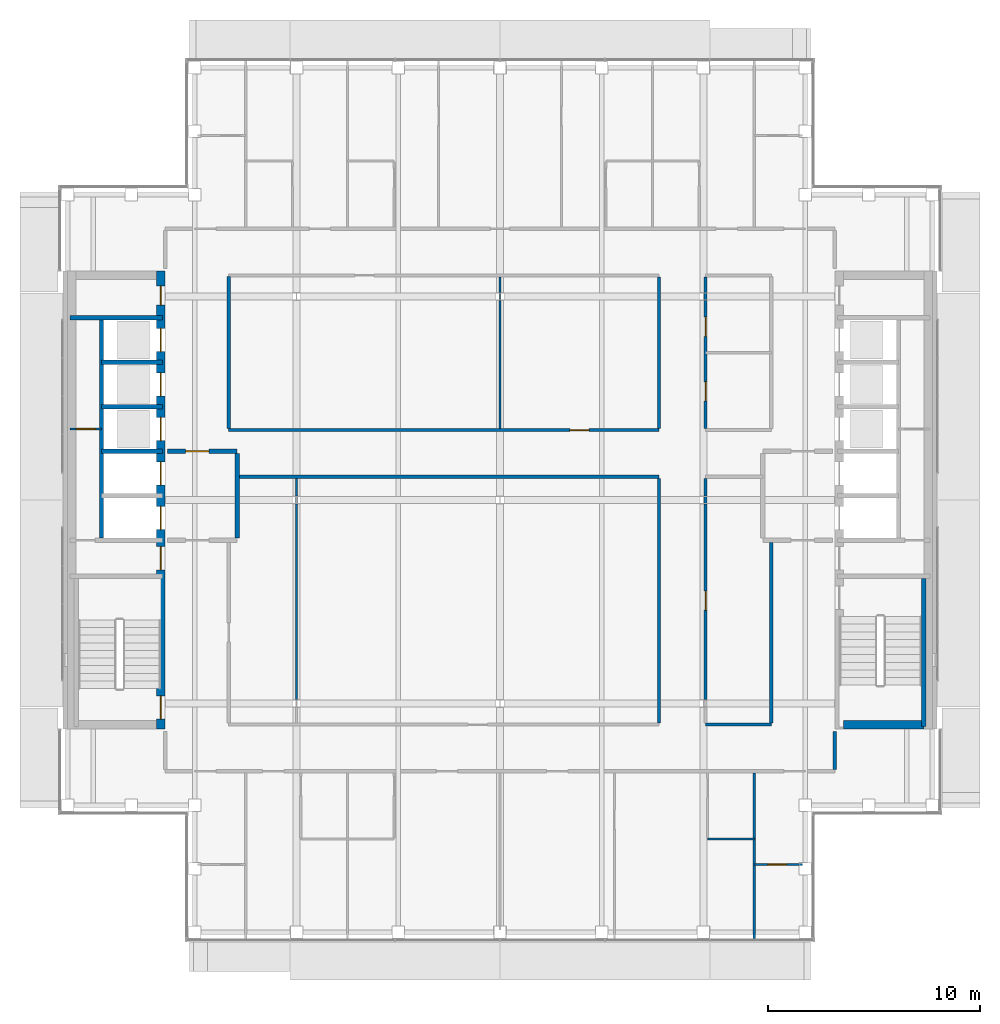
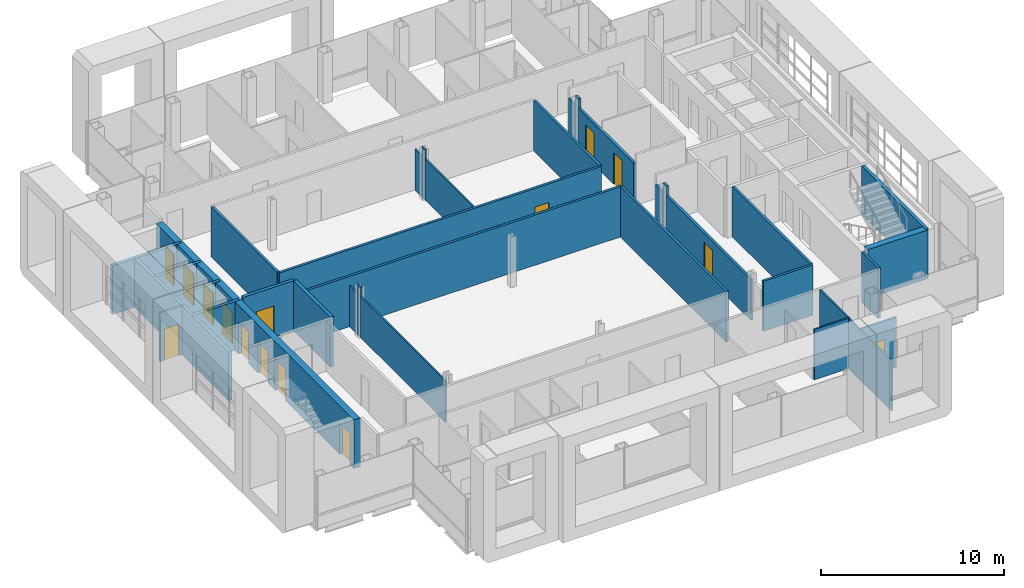
# One storey, part 10 of 21: 34 walls, 15 doors, 15 openings.
"""IFC4 building model written with IfcOpenShell, lengths in metres."""

from ifc_helpers import new_model, si_unit, direction, frame, frame_2d, origin, place, context, subcontext, project, spatial, rectangle, extrude, material, layer, layer_set, type_object, element, fill, save


model = new_model("IFC4")

# Units and contexts
model_context = context("Model", 3, precision=1e-05, world=origin(), true_north=direction((0.0, 1.0)))
body_context = subcontext(model_context, "Body", "Model", "MODEL_VIEW")
ifc_project = project(units=[si_unit("LENGTHUNIT", "METRE"), si_unit("AREAUNIT", "SQUARE_METRE"), si_unit("VOLUMEUNIT", "CUBIC_METRE"), si_unit("PLANEANGLEUNIT", "RADIAN"), si_unit("MASSUNIT", "GRAM", prefix="KILO")], contexts=[model_context])

# Site, building, storey
site_placement = place(None, origin())
site = spatial("IfcSite", under=ifc_project, at=site_placement, CompositionType="ELEMENT")
building_placement = place(site_placement, origin())
building = spatial("IfcBuilding", under=site, at=building_placement, Name="Cobrizo Arcos Hotel Tower", CompositionType="ELEMENT")
storey_placement = place(building_placement, frame((0.0, 0.0, 248.0)))
storey = spatial("IfcBuildingStorey", under=building, at=storey_placement, Name="L65", CompositionType="ELEMENT", Elevation=248.0)

# Walls
ifc_material_1 = material(Name="Gypsum board partition")
ifc_layer_1 = layer(ifc_material_1, 0.14990234375)
ifc_layer_set_1 = layer_set([ifc_layer_1], Name="Corridor wall EI 60 150")
wall_type_1 = type_object("IfcWallType", Name="Corridor wall EI 60 150", PredefinedType="PARTITIONING", material=ifc_layer_set_1)
wall_1_placement = place(storey_placement, frame((9.699951171875, -10.60009765625, 0.0), z_axis=(0.0, 0.0, 1.0), x_axis=(1.0, 0.0, 0.0)))
element("IfcWall", 1, at=wall_1_placement, inside=storey, type_object=wall_type_1, Name="Partition 007", PredefinedType="PARTITIONING", context=body_context, shape_type="SweptSolid", body=[
    extrude(rectangle(XDim=3.10009765625, YDim=0.14990234375, at=frame_2d((1.550048828125, 0.0))), origin(), (0.0, 0.0, 1.0), 3.35009765625),
])
wall_2_placement = place(storey_placement, frame((-12.39990234375, 1.10009765625, 0.0), z_axis=(0.0, 0.0, 1.0), x_axis=(1.0, 0.0, 0.0)))
element("IfcWall", 2, at=wall_2_placement, inside=storey, type_object=wall_type_1, Name="Partition 016", PredefinedType="PARTITIONING", context=body_context, shape_type="SweptSolid", body=[
    extrude(rectangle(XDim=19.89990234375, YDim=0.14990234375, at=frame_2d((9.949951171875, 0.0))), origin(), (0.0, 0.0, 1.0), 3.35009765625),
])

# Wall, opening, door
wall_3_placement = place(storey_placement, frame((-12.800048828125, 3.300048828125, 0.0), z_axis=(0.0, 0.0, 1.0), x_axis=(1.0, 0.0, 0.0)))
wall_3 = element("IfcWall", 3, at=wall_3_placement, inside=storey, type_object=wall_type_1, Name="Partition 022", PredefinedType="PARTITIONING", context=body_context, shape_type="SweptSolid", body=[
    extrude(rectangle(XDim=20.300048828125, YDim=0.14990234375, at=frame_2d((10.14990234375, 0.0))), origin(), (0.0, 0.0, 1.0), 3.35009765625),
])
opening_1_placement = place(wall_3_placement, frame((16.10009765625, 0.0, 0.0)))
opening_1 = element("IfcOpeningElement", 4, at=opening_1_placement, cuts=wall_3, Name="Opening RD-13", PredefinedType="OPENING", context=body_context, shape_type="SweptSolid", body=[
    extrude(rectangle(XDim=0.89990234375, YDim=2.10009765625, at=frame_2d((0.449951171875, 1.050048828125))), frame((0.0, 0.0869140625, 0.0), z_axis=(0.0, -1.0, 0.0), x_axis=(1.0, 0.0, 0.0)), (0.0, 0.0, 1.0), 0.173828125),
])
ifc_material_2 = material(Name="Timber door leaf", Category="wood")
door_type_1 = type_object("IfcDoorType", Name="Room door FD30 900x2100", OperationType="SINGLE_SWING_LEFT", PredefinedType="DOOR", material=ifc_material_2)
door_1_placement = place(opening_1_placement, origin())
door_1 = element("IfcDoor", 5, at=door_1_placement, inside=storey, type_object=door_type_1, Name="Door RD-13", OperationType="SINGLE_SWING_RIGHT", OverallHeight=2.10009765625, OverallWidth=0.89990234375, PredefinedType="DOOR", context=body_context, shape_type="SweptSolid", body=[
    extrude(rectangle(XDim=0.89990234375, YDim=2.10009765625, at=frame_2d((0.449951171875, 1.050048828125))), frame((0.0, 0.02490234375, 0.0), z_axis=(0.0, -1.0, 0.0), x_axis=(1.0, 0.0, 0.0)), (0.0, 0.0, 1.0), 0.050048828125),
])
fill(opening_1, door_1)

# Walls
wall_4_placement = place(storey_placement, frame((-12.800048828125, 3.375, 0.0), z_axis=(0.0, 0.0, 1.0), x_axis=(0.0, 1.0, 0.0)))
element("IfcWall", 6, at=wall_4_placement, inside=storey, type_object=wall_type_1, Name="Partition 046", PredefinedType="PARTITIONING", context=body_context, shape_type="SweptSolid", body=[
    extrude(rectangle(XDim=7.175048828125, YDim=0.14990234375, at=frame_2d((3.58740234375, 0.0))), origin(), (0.0, 0.0, 1.0), 3.35009765625),
])
wall_5_placement = place(storey_placement, frame((7.5, -10.52490234375, 0.0), z_axis=(0.0, 0.0, 1.0), x_axis=(0.0, 1.0, 0.0)))
element("IfcWall", 7, at=wall_5_placement, inside=storey, type_object=wall_type_1, Name="Partition 072", PredefinedType="PARTITIONING", context=body_context, shape_type="SweptSolid", body=[
    extrude(rectangle(XDim=11.5498046875, YDim=0.14990234375, at=frame_2d((5.77490234375, 0.0))), origin(), (0.0, 0.0, 1.0), 3.35009765625),
])
wall_6_placement = place(storey_placement, frame((7.5, 3.375, 0.0), z_axis=(0.0, 0.0, 1.0), x_axis=(0.0, 1.0, 0.0)))
element("IfcWall", 8, at=wall_6_placement, inside=storey, type_object=wall_type_1, Name="Partition 073", PredefinedType="PARTITIONING", context=body_context, shape_type="SweptSolid", body=[
    extrude(rectangle(XDim=7.14990234375, YDim=0.14990234375, at=frame_2d((3.574951171875, 0.0))), origin(), (0.0, 0.0, 1.0), 3.35009765625),
])

# Wall, opening, door
wall_7_placement = place(storey_placement, frame((9.699951171875, -9.416015625, 0.0), z_axis=(0.0, 0.0, 1.0), x_axis=(0.0, 1.0, 0.0)))
wall_7 = element("IfcWall", 9, at=wall_7_placement, inside=storey, type_object=wall_type_1, Name="Partition 077", PredefinedType="PARTITIONING", context=body_context, shape_type="SweptSolid", body=[
    extrude(rectangle(XDim=9.23193359375, YDim=0.14990234375, at=frame_2d((4.615966796875, 0.0))), origin(), (0.0, 0.0, 1.0), 2.72802734375),
])
opening_2_placement = place(wall_7_placement, frame((4.216064453125, 0.0, 0.0)))
opening_2 = element("IfcOpeningElement", 10, at=opening_2_placement, cuts=wall_7, Name="Opening RD-11", PredefinedType="OPENING", context=body_context, shape_type="SweptSolid", body=[
    extrude(rectangle(XDim=0.89990234375, YDim=2.10009765625, at=frame_2d((0.449951171875, 1.050048828125))), frame((0.0, 0.0869140625, 0.0), z_axis=(0.0, -1.0, 0.0), x_axis=(1.0, 0.0, 0.0)), (0.0, 0.0, 1.0), 0.173828125),
])
door_2_placement = place(opening_2_placement, origin())
door_2 = element("IfcDoor", 11, at=door_2_placement, inside=storey, type_object=door_type_1, Name="Door RD-11", OperationType="SINGLE_SWING_RIGHT", OverallHeight=2.10009765625, OverallWidth=0.89990234375, PredefinedType="DOOR", context=body_context, shape_type="SweptSolid", body=[
    extrude(rectangle(XDim=0.89990234375, YDim=2.10009765625, at=frame_2d((0.449951171875, 1.050048828125))), frame((0.0, 0.02490234375, 0.0), z_axis=(0.0, -1.0, 0.0), x_axis=(1.0, 0.0, 0.0)), (0.0, 0.0, 1.0), 0.050048828125),
])
fill(opening_2, door_2)

# Walls
wall_8_placement = place(storey_placement, frame((9.699951171875, -0.18408203125, 0.0), z_axis=(0.0, 0.0, 1.0), x_axis=(0.0, 1.0, 0.0)))
element("IfcWall", 12, at=wall_8_placement, inside=storey, type_object=wall_type_1, Name="Partition 078", PredefinedType="PARTITIONING", context=body_context, shape_type="SweptSolid", body=[
    extrude(rectangle(XDim=0.3681640625, YDim=0.14990234375, at=frame_2d((0.18408203125, 0.0))), origin(), (0.0, 0.0, 1.0), 3.35009765625),
])
wall_9_placement = place(storey_placement, frame((9.699951171875, 0.18408203125, 0.0), z_axis=(0.0, 0.0, 1.0), x_axis=(0.0, 1.0, 0.0)))
element("IfcWall", 13, at=wall_9_placement, inside=storey, type_object=wall_type_1, Name="Partition 079", PredefinedType="PARTITIONING", context=body_context, shape_type="SweptSolid", body=[
    extrude(rectangle(XDim=0.8408203125, YDim=0.14990234375, at=frame_2d((0.42041015625, 0.0))), origin(), (0.0, 0.0, 1.0), 2.72802734375),
])

# Wall, openings, doors
wall_10_placement = place(storey_placement, frame((9.699951171875, 3.375, 0.0), z_axis=(0.0, 0.0, 1.0), x_axis=(0.0, 1.0, 0.0)))
wall_10 = element("IfcWall", 14, at=wall_10_placement, inside=storey, type_object=wall_type_1, Name="Partition 080", PredefinedType="PARTITIONING", context=body_context, shape_type="SweptSolid", body=[
    extrude(rectangle(XDim=6.041015625, YDim=0.14990234375, at=frame_2d((3.0205078125, 0.0))), origin(), (0.0, 0.0, 1.0), 2.72802734375),
])
opening_3_placement = place(wall_10_placement, frame((1.300048828125, 0.0, 0.0)))
opening_3 = element("IfcOpeningElement", 15, at=opening_3_placement, cuts=wall_10, Name="Opening ED-12", PredefinedType="OPENING", context=body_context, shape_type="SweptSolid", body=[
    extrude(rectangle(XDim=0.89990234375, YDim=2.10009765625, at=frame_2d((0.449951171875, 1.050048828125))), frame((0.0, 0.0869140625, 0.0), z_axis=(0.0, -1.0, 0.0), x_axis=(1.0, 0.0, 0.0)), (0.0, 0.0, 1.0), 0.173828125),
])
opening_4_placement = place(wall_10_placement, frame((4.35009765625, 0.0, 0.0)))
opening_4 = element("IfcOpeningElement", 16, at=opening_4_placement, cuts=wall_10, Name="Opening ED-13", PredefinedType="OPENING", context=body_context, shape_type="SweptSolid", body=[
    extrude(rectangle(XDim=0.89990234375, YDim=2.10009765625, at=frame_2d((0.449951171875, 1.050048828125))), frame((0.0, 0.0869140625, 0.0), z_axis=(0.0, -1.0, 0.0), x_axis=(1.0, 0.0, 0.0)), (0.0, 0.0, 1.0), 0.173828125),
])
door_type_2 = type_object("IfcDoorType", Name="En-suite door 900x2100", OperationType="SINGLE_SWING_LEFT", PredefinedType="DOOR", material=ifc_material_2)
door_3_placement = place(opening_3_placement, origin())
door_3 = element("IfcDoor", 17, at=door_3_placement, inside=storey, type_object=door_type_2, Name="Door ED-12", OperationType="SINGLE_SWING_LEFT", OverallHeight=2.10009765625, OverallWidth=0.89990234375, PredefinedType="DOOR", context=body_context, shape_type="SweptSolid", body=[
    extrude(rectangle(XDim=0.89990234375, YDim=2.10009765625, at=frame_2d((0.449951171875, 1.050048828125))), frame((0.0, 0.02490234375, 0.0), z_axis=(0.0, -1.0, 0.0), x_axis=(1.0, 0.0, 0.0)), (0.0, 0.0, 1.0), 0.050048828125),
])
fill(opening_3, door_3)
door_4_placement = place(opening_4_placement, origin())
door_4 = element("IfcDoor", 18, at=door_4_placement, inside=storey, type_object=door_type_2, Name="Door ED-13", OperationType="SINGLE_SWING_RIGHT", OverallHeight=2.10009765625, OverallWidth=0.89990234375, PredefinedType="DOOR", context=body_context, shape_type="SweptSolid", body=[
    extrude(rectangle(XDim=0.89990234375, YDim=2.10009765625, at=frame_2d((0.449951171875, 1.050048828125))), frame((0.0, 0.02490234375, 0.0), z_axis=(0.0, -1.0, 0.0), x_axis=(1.0, 0.0, 0.0)), (0.0, 0.0, 1.0), 0.050048828125),
])
fill(opening_4, door_4)

# Walls
wall_11_placement = place(storey_placement, frame((9.699951171875, 9.416015625, 0.0), z_axis=(0.0, 0.0, 1.0), x_axis=(0.0, 1.0, 0.0)))
element("IfcWall", 19, at=wall_11_placement, inside=storey, type_object=wall_type_1, Name="Partition 081", PredefinedType="PARTITIONING", context=body_context, shape_type="SweptSolid", body=[
    extrude(rectangle(XDim=0.367919921875, YDim=0.14990234375, at=frame_2d((0.18408203125, 0.0))), origin(), (0.0, 0.0, 1.0), 3.35009765625),
])
wall_12_placement = place(storey_placement, frame((9.699951171875, 9.783935546875, 0.0), z_axis=(0.0, 0.0, 1.0), x_axis=(0.0, 1.0, 0.0)))
element("IfcWall", 20, at=wall_12_placement, inside=storey, type_object=wall_type_1, Name="Partition 082", PredefinedType="PARTITIONING", context=body_context, shape_type="SweptSolid", body=[
    extrude(rectangle(XDim=0.740966796875, YDim=0.14990234375, at=frame_2d((0.37060546875, 0.0))), origin(), (0.0, 0.0, 1.0), 2.72802734375),
])
wall_13_placement = place(storey_placement, frame((12.800048828125, -10.52490234375, 0.0), z_axis=(0.0, 0.0, 1.0), x_axis=(0.0, 1.0, 0.0)))
element("IfcWall", 21, at=wall_13_placement, inside=storey, type_object=wall_type_1, Name="Partition 087", PredefinedType="PARTITIONING", context=body_context, shape_type="SweptSolid", body=[
    extrude(rectangle(XDim=8.52490234375, YDim=0.14990234375, at=frame_2d((4.262451171875, 0.0))), origin(), (0.0, 0.0, 1.0), 3.35009765625),
])
wall_14_placement = place(storey_placement, frame((15.800048828125, -12.72509765625, 0.0), z_axis=(0.0, 0.0, 1.0), x_axis=(0.0, 1.0, 0.0)))
element("IfcWall", 22, at=wall_14_placement, inside=storey, type_object=wall_type_1, Name="Partition 089", PredefinedType="PARTITIONING", context=body_context, shape_type="SweptSolid", body=[
    extrude(rectangle(XDim=1.80517578125, YDim=0.14990234375, at=frame_2d((0.902587890625, 0.0))), origin(), (0.0, 0.0, 1.0), 3.35009765625),
])

# Wall, opening, door
ifc_layer_2 = layer(ifc_material_1, 0.10009765625)
ifc_layer_set_2 = layer_set([ifc_layer_2], Name="Partition EI 30 100")
wall_type_2 = type_object("IfcWallType", Name="Partition EI 30 100", PredefinedType="PARTITIONING", material=ifc_layer_set_2)
wall_15_placement = place(storey_placement, frame((12.0, -17.199951171875, 0.0), z_axis=(0.0, 0.0, 1.0), x_axis=(1.0, 0.0, 0.0)))
wall_15 = element("IfcWall", 23, at=wall_15_placement, inside=storey, type_object=wall_type_2, Name="Partition 002", PredefinedType="PARTITIONING", context=body_context, shape_type="SweptSolid", body=[
    extrude(rectangle(XDim=2.280029296875, YDim=0.10009765625, at=frame_2d((1.14013671875, 0.0))), origin(), (0.0, 0.0, 1.0), 3.35009765625),
])
opening_5_placement = place(wall_15_placement, frame((0.6298828125, 0.0, 0.0)))
opening_5 = element("IfcOpeningElement", 24, at=opening_5_placement, cuts=wall_15, Name="Opening ED-10", PredefinedType="OPENING", context=body_context, shape_type="SweptSolid", body=[
    extrude(rectangle(XDim=0.89990234375, YDim=2.10009765625, at=frame_2d((0.449951171875, 1.050048828125))), frame((0.0, 0.06201171875, 0.0), z_axis=(0.0, -1.0, 0.0), x_axis=(1.0, 0.0, 0.0)), (0.0, 0.0, 1.0), 0.1240234375),
])
door_5_placement = place(opening_5_placement, origin())
door_5 = element("IfcDoor", 25, at=door_5_placement, inside=storey, type_object=door_type_2, Name="Door ED-10", OperationType="SINGLE_SWING_RIGHT", OverallHeight=2.10009765625, OverallWidth=0.89990234375, PredefinedType="DOOR", context=body_context, shape_type="SweptSolid", body=[
    extrude(rectangle(XDim=0.89990234375, YDim=2.10009765625, at=frame_2d((0.449951171875, 1.050048828125))), frame((0.0, 0.02490234375, 0.0), z_axis=(0.0, -1.0, 0.0), x_axis=(1.0, 0.0, 0.0)), (0.0, 0.0, 1.0), 0.050048828125),
])
fill(opening_5, door_5)

# Wall
wall_16_placement = place(storey_placement, frame((9.800048828125, -16.0, 0.0), z_axis=(0.0, 0.0, 1.0), x_axis=(1.0, 0.0, 0.0)))
element("IfcWall", 26, at=wall_16_placement, inside=storey, type_object=wall_type_2, Name="Partition 004", PredefinedType="PARTITIONING", context=body_context, shape_type="SweptSolid", body=[
    extrude(rectangle(XDim=2.199951171875, YDim=0.10009765625, at=frame_2d((1.10009765625, 0.0))), origin(), (0.0, 0.0, 1.0), 3.35009765625),
])

# Wall, opening, door
wall_17_placement = place(storey_placement, frame((-20.280029296875, 3.35009765625, 0.0), z_axis=(0.0, 0.0, 1.0), x_axis=(1.0, 0.0, 0.0)))
wall_17 = element("IfcWall", 27, at=wall_17_placement, inside=storey, type_object=wall_type_2, Name="Partition 024", PredefinedType="PARTITIONING", context=body_context, shape_type="SweptSolid", body=[
    extrude(rectangle(XDim=1.47998046875, YDim=0.10009765625, at=frame_2d((0.739990234375, 0.0))), origin(), (0.0, 0.0, 1.0), 3.25),
])
opening_6_placement = place(wall_17_placement, frame((0.280029296875, 0.0, 0.0)))
opening_6 = element("IfcOpeningElement", 28, at=opening_6_placement, cuts=wall_17, Name="Opening RD-03", PredefinedType="OPENING", context=body_context, shape_type="SweptSolid", body=[
    extrude(rectangle(XDim=0.89990234375, YDim=2.10009765625, at=frame_2d((0.449951171875, 1.050048828125))), frame((0.0, 0.06201171875, 0.0), z_axis=(0.0, -1.0, 0.0), x_axis=(1.0, 0.0, 0.0)), (0.0, 0.0, 1.0), 0.1240234375),
])
door_6_placement = place(opening_6_placement, origin())
door_6 = element("IfcDoor", 29, at=door_6_placement, inside=storey, type_object=door_type_1, Name="Door RD-03", OperationType="SINGLE_SWING_RIGHT", OverallHeight=2.10009765625, OverallWidth=0.89990234375, PredefinedType="DOOR", context=body_context, shape_type="SweptSolid", body=[
    extrude(rectangle(XDim=0.89990234375, YDim=2.10009765625, at=frame_2d((0.449951171875, 1.050048828125))), frame((0.0, 0.02490234375, 0.0), z_axis=(0.0, -1.0, 0.0), x_axis=(1.0, 0.0, 0.0)), (0.0, 0.0, 1.0), 0.050048828125),
])
fill(opening_6, door_6)

# Walls
wall_18_placement = place(storey_placement, frame((-9.60009765625, -9.416015625, 0.0), z_axis=(0.0, 0.0, 1.0), x_axis=(0.0, 1.0, 0.0)))
element("IfcWall", 30, at=wall_18_placement, inside=storey, type_object=wall_type_2, Name="Partition 053", PredefinedType="PARTITIONING", context=body_context, shape_type="SweptSolid", body=[
    extrude(rectangle(XDim=9.23193359375, YDim=0.10009765625, at=frame_2d((4.615966796875, 0.0))), origin(), (0.0, 0.0, 1.0), 2.72802734375),
])
wall_19_placement = place(storey_placement, frame((-9.60009765625, -0.18408203125, 0.0), z_axis=(0.0, 0.0, 1.0), x_axis=(0.0, 1.0, 0.0)))
element("IfcWall", 31, at=wall_19_placement, inside=storey, type_object=wall_type_2, Name="Partition 054", PredefinedType="PARTITIONING", context=body_context, shape_type="SweptSolid", body=[
    extrude(rectangle(XDim=0.3681640625, YDim=0.10009765625, at=frame_2d((0.18408203125, 0.0))), origin(), (0.0, 0.0, 1.0), 3.35009765625),
])
wall_20_placement = place(storey_placement, frame((-9.60009765625, 0.18408203125, 0.0), z_axis=(0.0, 0.0, 1.0), x_axis=(0.0, 1.0, 0.0)))
element("IfcWall", 32, at=wall_20_placement, inside=storey, type_object=wall_type_2, Name="Partition 055", PredefinedType="PARTITIONING", context=body_context, shape_type="SweptSolid", body=[
    extrude(rectangle(XDim=0.8408203125, YDim=0.10009765625, at=frame_2d((0.42041015625, 0.0))), origin(), (0.0, 0.0, 1.0), 2.72802734375),
])
wall_21_placement = place(storey_placement, frame((0.0, 3.375, 0.0), z_axis=(0.0, 0.0, 1.0), x_axis=(0.0, 1.0, 0.0)))
element("IfcWall", 33, at=wall_21_placement, inside=storey, type_object=wall_type_2, Name="Partition 064", PredefinedType="PARTITIONING", context=body_context, shape_type="SweptSolid", body=[
    extrude(rectangle(XDim=6.041015625, YDim=0.10009765625, at=frame_2d((3.0205078125, 0.0))), origin(), (0.0, 0.0, 1.0), 2.72802734375),
])
wall_22_placement = place(storey_placement, frame((0.0, 9.416015625, 0.0), z_axis=(0.0, 0.0, 1.0), x_axis=(0.0, 1.0, 0.0)))
element("IfcWall", 34, at=wall_22_placement, inside=storey, type_object=wall_type_2, Name="Partition 065", PredefinedType="PARTITIONING", context=body_context, shape_type="SweptSolid", body=[
    extrude(rectangle(XDim=0.367919921875, YDim=0.10009765625, at=frame_2d((0.18408203125, 0.0))), origin(), (0.0, 0.0, 1.0), 3.35009765625),
])
wall_23_placement = place(storey_placement, frame((0.0, 9.783935546875, 0.0), z_axis=(0.0, 0.0, 1.0), x_axis=(0.0, 1.0, 0.0)))
element("IfcWall", 35, at=wall_23_placement, inside=storey, type_object=wall_type_2, Name="Partition 066", PredefinedType="PARTITIONING", context=body_context, shape_type="SweptSolid", body=[
    extrude(rectangle(XDim=0.740966796875, YDim=0.10009765625, at=frame_2d((0.37060546875, 0.0))), origin(), (0.0, 0.0, 1.0), 2.72802734375),
])
wall_24_placement = place(storey_placement, frame((12.0, -20.72998046875, 0.0), z_axis=(0.0, 0.0, 1.0), x_axis=(0.0, 1.0, 0.0)))
element("IfcWall", 36, at=wall_24_placement, inside=storey, type_object=wall_type_2, Name="Partition 084", PredefinedType="PARTITIONING", context=body_context, shape_type="SweptSolid", body=[
    extrude(rectangle(XDim=7.85498046875, YDim=0.10009765625, at=frame_2d((3.927490234375, 0.0))), origin(), (0.0, 0.0, 1.0), 3.35009765625),
])
ifc_material_3 = material(Name="Concrete f'c 40 MPa", Category="concrete")
ifc_layer_3 = layer(ifc_material_3, 0.39990234375)
ifc_layer_set_3 = layer_set([ifc_layer_3], Name="RC core wall 400 f'c 40")
wall_type_3 = type_object("IfcWallType", Name="RC core wall 400 f'c 40", PredefinedType="SHEAR", material=ifc_layer_set_3)
wall_25_placement = place(storey_placement, frame((16.199951171875, -10.60009765625, 0.0), z_axis=(0.0, 0.0, 1.0), x_axis=(1.0, 0.0, 0.0)))
element("IfcWall", 37, at=wall_25_placement, inside=storey, type_object=wall_type_3, Name="Core wall CW4, east core, south end, L65", PredefinedType="SHEAR", context=body_context, shape_type="SweptSolid", body=[
    extrude(rectangle(XDim=3.800048828125, YDim=0.39990234375, at=frame_2d((1.89990234375, 0.0))), origin(), (0.0, 0.0, 1.0), 3.25),
])

# Wall, openings, doors
wall_26_placement = place(storey_placement, frame((-16.0, -10.800048828125, 0.0), z_axis=(0.0, 0.0, 1.0), x_axis=(0.0, 1.0, 0.0)))
wall_26 = element("IfcWall", 38, at=wall_26_placement, inside=storey, type_object=wall_type_3, Name="Core wall CW4, west core, inner face, L65", PredefinedType="SHEAR", context=body_context, shape_type="SweptSolid", body=[
    extrude(rectangle(XDim=21.60009765625, YDim=0.39990234375, at=frame_2d((10.800048828125, 0.0))), origin(), (0.0, 0.0, 1.0), 3.25),
])
opening_7_placement = place(wall_26_placement, frame((9.39990234375, 0.0, 0.0)))
opening_7 = element("IfcOpeningElement", 39, at=opening_7_placement, cuts=wall_26, Name="Opening LD-01", PredefinedType="OPENING", context=body_context, shape_type="SweptSolid", body=[
    extrude(rectangle(XDim=1.10009765625, YDim=2.10009765625, at=frame_2d((0.550048828125, 1.050048828125))), frame((0.0, 0.2119140625, 0.0), z_axis=(0.0, -1.0, 0.0), x_axis=(1.0, 0.0, 0.0)), (0.0, 0.0, 1.0), 0.423828125),
])
opening_8_placement = place(wall_26_placement, frame((11.5, 0.0, 0.0)))
opening_8 = element("IfcOpeningElement", 40, at=opening_8_placement, cuts=wall_26, Name="Opening LD-02", PredefinedType="OPENING", context=body_context, shape_type="SweptSolid", body=[
    extrude(rectangle(XDim=1.10009765625, YDim=2.10009765625, at=frame_2d((0.550048828125, 1.050048828125))), frame((0.0, 0.2119140625, 0.0), z_axis=(0.0, -1.0, 0.0), x_axis=(1.0, 0.0, 0.0)), (0.0, 0.0, 1.0), 0.423828125),
])
opening_9_placement = place(wall_26_placement, frame((13.60009765625, 0.0, 0.0)))
opening_9 = element("IfcOpeningElement", 41, at=opening_9_placement, cuts=wall_26, Name="Opening LD-03", PredefinedType="OPENING", context=body_context, shape_type="SweptSolid", body=[
    extrude(rectangle(XDim=1.10009765625, YDim=2.10009765625, at=frame_2d((0.550048828125, 1.050048828125))), frame((0.0, 0.2119140625, 0.0), z_axis=(0.0, -1.0, 0.0), x_axis=(1.0, 0.0, 0.0)), (0.0, 0.0, 1.0), 0.423828125),
])
opening_10_placement = place(wall_26_placement, frame((15.699951171875, 0.0, 0.0)))
opening_10 = element("IfcOpeningElement", 42, at=opening_10_placement, cuts=wall_26, Name="Opening LD-04", PredefinedType="OPENING", context=body_context, shape_type="SweptSolid", body=[
    extrude(rectangle(XDim=1.10009765625, YDim=2.10009765625, at=frame_2d((0.550048828125, 1.050048828125))), frame((0.0, 0.2119140625, 0.0), z_axis=(0.0, -1.0, 0.0), x_axis=(1.0, 0.0, 0.0)), (0.0, 0.0, 1.0), 0.423828125),
])
opening_11_placement = place(wall_26_placement, frame((17.800048828125, 0.0, 0.0)))
opening_11 = element("IfcOpeningElement", 43, at=opening_11_placement, cuts=wall_26, Name="Opening LD-05", PredefinedType="OPENING", context=body_context, shape_type="SweptSolid", body=[
    extrude(rectangle(XDim=1.10009765625, YDim=2.10009765625, at=frame_2d((0.550048828125, 1.050048828125))), frame((0.0, 0.2119140625, 0.0), z_axis=(0.0, -1.0, 0.0), x_axis=(1.0, 0.0, 0.0)), (0.0, 0.0, 1.0), 0.423828125),
])
opening_12_placement = place(wall_26_placement, frame((0.4580078125, 0.0, 0.0)))
opening_12 = element("IfcOpeningElement", 44, at=opening_12_placement, cuts=wall_26, Name="Opening SD-01", PredefinedType="OPENING", context=body_context, shape_type="SweptSolid", body=[
    extrude(rectangle(XDim=1.10009765625, YDim=2.10009765625, at=frame_2d((0.550048828125, 1.050048828125))), frame((0.0, 0.2119140625, 0.0), z_axis=(0.0, -1.0, 0.0), x_axis=(1.0, 0.0, 0.0)), (0.0, 0.0, 1.0), 0.423828125),
])
opening_13_placement = place(wall_26_placement, frame((7.5, 0.0, 0.0)))
opening_13 = element("IfcOpeningElement", 45, at=opening_13_placement, cuts=wall_26, Name="Opening FD-01", PredefinedType="OPENING", context=body_context, shape_type="SweptSolid", body=[
    extrude(rectangle(XDim=1.10009765625, YDim=2.10009765625, at=frame_2d((0.550048828125, 1.050048828125))), frame((0.0, 0.2119140625, 0.0), z_axis=(0.0, -1.0, 0.0), x_axis=(1.0, 0.0, 0.0)), (0.0, 0.0, 1.0), 0.423828125),
])
opening_14_placement = place(wall_26_placement, frame((20.0, 0.0, 0.0)))
opening_14 = element("IfcOpeningElement", 46, at=opening_14_placement, cuts=wall_26, Name="Opening RD-01", PredefinedType="OPENING", context=body_context, shape_type="SweptSolid", body=[
    extrude(rectangle(XDim=0.89990234375, YDim=2.10009765625, at=frame_2d((0.449951171875, 1.050048828125))), frame((0.0, 0.2119140625, 0.0), z_axis=(0.0, -1.0, 0.0), x_axis=(1.0, 0.0, 0.0)), (0.0, 0.0, 1.0), 0.423828125),
])
ifc_material_4 = material(Name="Steel door leaf", Category="steel")
door_type_3 = type_object("IfcDoorType", Name="Fire door FD60 1100x2100", OperationType="SINGLE_SWING_LEFT", PredefinedType="DOOR", material=ifc_material_4)
door_7_placement = place(opening_13_placement, origin())
door_7 = element("IfcDoor", 47, at=door_7_placement, inside=storey, type_object=door_type_3, Name="Door FD-01", OperationType="SINGLE_SWING_RIGHT", OverallHeight=2.10009765625, OverallWidth=1.10009765625, PredefinedType="DOOR", context=body_context, shape_type="SweptSolid", body=[
    extrude(rectangle(XDim=1.10009765625, YDim=2.10009765625, at=frame_2d((0.550048828125, 1.050048828125))), frame((0.0, 0.02490234375, 0.0), z_axis=(0.0, -1.0, 0.0), x_axis=(1.0, 0.0, 0.0)), (0.0, 0.0, 1.0), 0.050048828125),
])
fill(opening_13, door_7)
door_type_4 = type_object("IfcDoorType", Name="Lift landing door 1100x2100", OperationType="SLIDING_TO_LEFT", PredefinedType="DOOR", material=ifc_material_4)
door_8_placement = place(opening_7_placement, origin())
door_8 = element("IfcDoor", 48, at=door_8_placement, inside=storey, type_object=door_type_4, Name="Lift landing door LD-01", OperationType="SLIDING_TO_LEFT", OverallHeight=2.10009765625, OverallWidth=1.10009765625, PredefinedType="DOOR", context=body_context, shape_type="SweptSolid", body=[
    extrude(rectangle(XDim=1.10009765625, YDim=2.10009765625, at=frame_2d((0.550048828125, 1.050048828125))), frame((0.0, 0.02490234375, 0.0), z_axis=(0.0, -1.0, 0.0), x_axis=(1.0, 0.0, 0.0)), (0.0, 0.0, 1.0), 0.050048828125),
])
fill(opening_7, door_8)
door_9_placement = place(opening_8_placement, origin())
door_9 = element("IfcDoor", 49, at=door_9_placement, inside=storey, type_object=door_type_4, Name="Lift landing door LD-02", OperationType="SLIDING_TO_LEFT", OverallHeight=2.10009765625, OverallWidth=1.10009765625, PredefinedType="DOOR", context=body_context, shape_type="SweptSolid", body=[
    extrude(rectangle(XDim=1.10009765625, YDim=2.10009765625, at=frame_2d((0.550048828125, 1.050048828125))), frame((0.0, 0.02490234375, 0.0), z_axis=(0.0, -1.0, 0.0), x_axis=(1.0, 0.0, 0.0)), (0.0, 0.0, 1.0), 0.050048828125),
])
fill(opening_8, door_9)
door_10_placement = place(opening_9_placement, origin())
door_10 = element("IfcDoor", 50, at=door_10_placement, inside=storey, type_object=door_type_4, Name="Lift landing door LD-03", OperationType="SLIDING_TO_LEFT", OverallHeight=2.10009765625, OverallWidth=1.10009765625, PredefinedType="DOOR", context=body_context, shape_type="SweptSolid", body=[
    extrude(rectangle(XDim=1.10009765625, YDim=2.10009765625, at=frame_2d((0.550048828125, 1.050048828125))), frame((0.0, 0.02490234375, 0.0), z_axis=(0.0, -1.0, 0.0), x_axis=(1.0, 0.0, 0.0)), (0.0, 0.0, 1.0), 0.050048828125),
])
fill(opening_9, door_10)
door_11_placement = place(opening_10_placement, origin())
door_11 = element("IfcDoor", 51, at=door_11_placement, inside=storey, type_object=door_type_4, Name="Lift landing door LD-04", OperationType="SLIDING_TO_LEFT", OverallHeight=2.10009765625, OverallWidth=1.10009765625, PredefinedType="DOOR", context=body_context, shape_type="SweptSolid", body=[
    extrude(rectangle(XDim=1.10009765625, YDim=2.10009765625, at=frame_2d((0.550048828125, 1.050048828125))), frame((0.0, 0.02490234375, 0.0), z_axis=(0.0, -1.0, 0.0), x_axis=(1.0, 0.0, 0.0)), (0.0, 0.0, 1.0), 0.050048828125),
])
fill(opening_10, door_11)
door_12_placement = place(opening_11_placement, origin())
door_12 = element("IfcDoor", 52, at=door_12_placement, inside=storey, type_object=door_type_4, Name="Lift landing door LD-05", OperationType="SLIDING_TO_LEFT", OverallHeight=2.10009765625, OverallWidth=1.10009765625, PredefinedType="DOOR", context=body_context, shape_type="SweptSolid", body=[
    extrude(rectangle(XDim=1.10009765625, YDim=2.10009765625, at=frame_2d((0.550048828125, 1.050048828125))), frame((0.0, 0.02490234375, 0.0), z_axis=(0.0, -1.0, 0.0), x_axis=(1.0, 0.0, 0.0)), (0.0, 0.0, 1.0), 0.050048828125),
])
fill(opening_11, door_12)
door_13_placement = place(opening_14_placement, origin())
door_13 = element("IfcDoor", 53, at=door_13_placement, inside=storey, type_object=door_type_1, Name="Door RD-01", OperationType="SINGLE_SWING_LEFT", OverallHeight=2.10009765625, OverallWidth=0.89990234375, PredefinedType="DOOR", context=body_context, shape_type="SweptSolid", body=[
    extrude(rectangle(XDim=0.89990234375, YDim=2.10009765625, at=frame_2d((0.449951171875, 1.050048828125))), frame((0.0, 0.02490234375, 0.0), z_axis=(0.0, -1.0, 0.0), x_axis=(1.0, 0.0, 0.0)), (0.0, 0.0, 1.0), 0.050048828125),
])
fill(opening_14, door_13)
door_type_5 = type_object("IfcDoorType", Name="Stair door FD60S 1100x2100", OperationType="SINGLE_SWING_LEFT", PredefinedType="DOOR", material=ifc_material_4)
door_14_placement = place(opening_12_placement, origin())
door_14 = element("IfcDoor", 54, at=door_14_placement, inside=storey, type_object=door_type_5, Name="Door SD-01", OperationType="SINGLE_SWING_LEFT", OverallHeight=2.10009765625, OverallWidth=1.10009765625, PredefinedType="DOOR", context=body_context, shape_type="SweptSolid", body=[
    extrude(rectangle(XDim=1.10009765625, YDim=2.10009765625, at=frame_2d((0.550048828125, 1.050048828125))), frame((0.0, 0.02490234375, 0.0), z_axis=(0.0, -1.0, 0.0), x_axis=(1.0, 0.0, 0.0)), (0.0, 0.0, 1.0), 0.050048828125),
])
fill(opening_12, door_14)

# Wall
ifc_layer_4 = layer(ifc_material_1, 0.199951171875)
ifc_layer_set_4 = layer_set([ifc_layer_4], Name="Shaft wall EI 120 200")
wall_type_4 = type_object("IfcWallType", Name="Shaft wall EI 120 200", PredefinedType="PARTITIONING", material=ifc_layer_set_4)
wall_27_placement = place(storey_placement, frame((-18.800048828125, 2.300048828125, 0.0), z_axis=(0.0, 0.0, 1.0), x_axis=(1.0, 0.0, 0.0)))
element("IfcWall", 55, at=wall_27_placement, inside=storey, type_object=wall_type_4, Name="Partition 018", PredefinedType="PARTITIONING", context=body_context, shape_type="SweptSolid", body=[
    extrude(rectangle(XDim=2.880126953125, YDim=0.199951171875, at=frame_2d((1.43994140625, 0.0))), origin(), (0.0, 0.0, 1.0), 3.25),
])

# Wall, opening, door
wall_28_placement = place(storey_placement, frame((-15.679931640625, 2.300048828125, 0.0), z_axis=(0.0, 0.0, 1.0), x_axis=(1.0, 0.0, 0.0)))
wall_28 = element("IfcWall", 56, at=wall_28_placement, inside=storey, type_object=wall_type_4, Name="Partition 019", PredefinedType="PARTITIONING", context=body_context, shape_type="SweptSolid", body=[
    extrude(rectangle(XDim=3.280029296875, YDim=0.199951171875, at=frame_2d((1.64013671875, 0.0))), origin(), (0.0, 0.0, 1.0), 3.35009765625),
])
opening_15_placement = place(wall_28_placement, frame((0.840087890625, 0.0, 0.0)))
opening_15 = element("IfcOpeningElement", 57, at=opening_15_placement, cuts=wall_28, Name="Opening FD-03", PredefinedType="OPENING", context=body_context, shape_type="SweptSolid", body=[
    extrude(rectangle(XDim=1.10009765625, YDim=2.10009765625, at=frame_2d((0.550048828125, 1.050048828125))), frame((0.0, 0.112060546875, 0.0), z_axis=(0.0, -1.0, 0.0), x_axis=(1.0, 0.0, 0.0)), (0.0, 0.0, 1.0), 0.223876953125),
])
door_15_placement = place(opening_15_placement, origin())
door_15 = element("IfcDoor", 58, at=door_15_placement, inside=storey, type_object=door_type_3, Name="Door FD-03", OperationType="SINGLE_SWING_LEFT", OverallHeight=2.10009765625, OverallWidth=1.10009765625, PredefinedType="DOOR", context=body_context, shape_type="SweptSolid", body=[
    extrude(rectangle(XDim=1.10009765625, YDim=2.10009765625, at=frame_2d((0.550048828125, 1.050048828125))), frame((0.0, 0.02490234375, 0.0), z_axis=(0.0, -1.0, 0.0), x_axis=(1.0, 0.0, 0.0)), (0.0, 0.0, 1.0), 0.050048828125),
])
fill(opening_15, door_15)

# Walls
for number, where, z_axis, x_axis, name in (
    (59, (-18.800048828125, 4.39990234375, 0.0), (0.0, 0.0, 1.0), (1.0, 0.0, 0.0), "Partition 026"),
    (60, (-18.800048828125, 6.5, 0.0), (0.0, 0.0, 1.0), (1.0, 0.0, 0.0), "Partition 028"),
):
    element("IfcWall", number, at=place(storey_placement, frame(where, z_axis=z_axis, x_axis=x_axis)), inside=storey, type_object=wall_type_4, Name=name, PredefinedType="PARTITIONING", context=body_context, shape_type="SweptSolid", body=[
        extrude(rectangle(XDim=2.880126953125, YDim=0.199951171875, at=frame_2d((1.43994140625, 0.0))), origin(), (0.0, 0.0, 1.0), 3.25),
    ])
wall_29_placement = place(storey_placement, frame((-20.280029296875, 8.60009765625, 0.0), z_axis=(0.0, 0.0, 1.0), x_axis=(1.0, 0.0, 0.0)))
element("IfcWall", 61, at=wall_29_placement, inside=storey, type_object=wall_type_4, Name="Partition 031", PredefinedType="PARTITIONING", context=body_context, shape_type="SweptSolid", body=[
    extrude(rectangle(XDim=4.360107421875, YDim=0.199951171875, at=frame_2d((2.18017578125, 0.0))), origin(), (0.0, 0.0, 1.0), 3.25),
])
wall_30_placement = place(storey_placement, frame((-18.800048828125, -1.800048828125, 0.0), z_axis=(0.0, 0.0, 1.0), x_axis=(0.0, 1.0, 0.0)))
element("IfcWall", 62, at=wall_30_placement, inside=storey, type_object=wall_type_4, Name="Partition 042", PredefinedType="PARTITIONING", context=body_context, shape_type="SweptSolid", body=[
    extrude(rectangle(XDim=10.300048828125, YDim=0.199951171875, at=frame_2d((5.14990234375, 0.0))), origin(), (0.0, 0.0, 1.0), 3.25),
])
wall_31_placement = place(storey_placement, frame((-12.39990234375, -1.800048828125, 0.0), z_axis=(0.0, 0.0, 1.0), x_axis=(0.0, 1.0, 0.0)))
element("IfcWall", 63, at=wall_31_placement, inside=storey, type_object=wall_type_4, Name="Partition 047", PredefinedType="PARTITIONING", context=body_context, shape_type="SweptSolid", body=[
    extrude(rectangle(XDim=4.0, YDim=0.199951171875, at=frame_2d((2.0, 0.0))), origin(), (0.0, 0.0, 1.0), 3.35009765625),
])
ifc_layer_5 = layer(ifc_material_3, 0.199951171875)
ifc_layer_set_5 = layer_set([ifc_layer_5], Name="Stair shaft wall 200")
wall_type_5 = type_object("IfcWallType", Name="Stair shaft wall 200", PredefinedType="SHEAR", material=ifc_layer_set_5)
wall_32_placement = place(storey_placement, frame((20.0, -10.679931640625, 0.0), z_axis=(0.0, 0.0, 1.0), x_axis=(0.0, 1.0, 0.0)))
element("IfcWall", 64, at=wall_32_placement, inside=storey, type_object=wall_type_5, Name="Stair shaft wall E", PredefinedType="SHEAR", context=body_context, shape_type="SweptSolid", body=[
    extrude(rectangle(XDim=6.97998046875, YDim=0.199951171875, at=frame_2d((3.489990234375, 0.0))), origin(), (0.0, 0.0, 1.0), 3.25),
])

save(model, "model.ifc")
